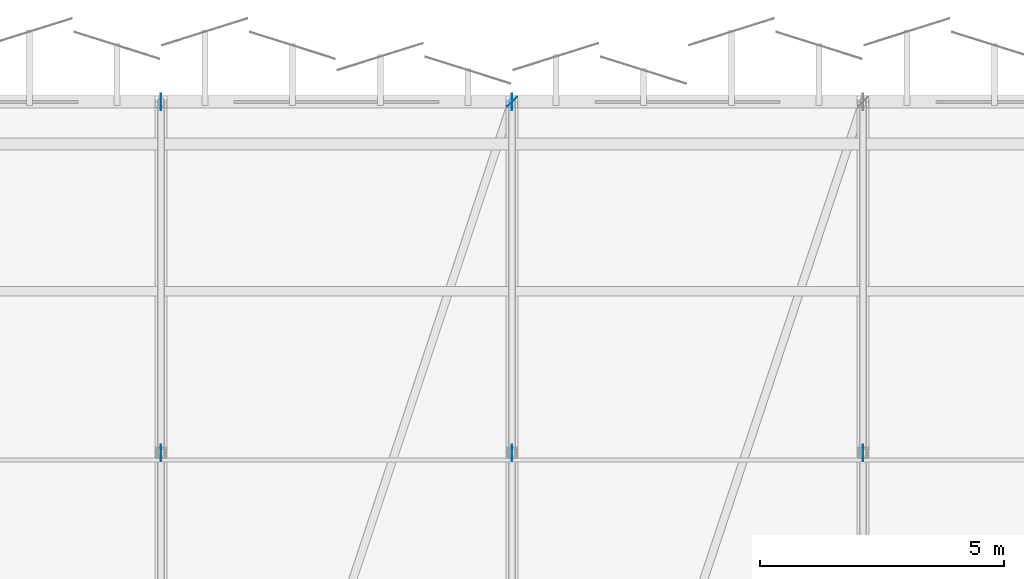
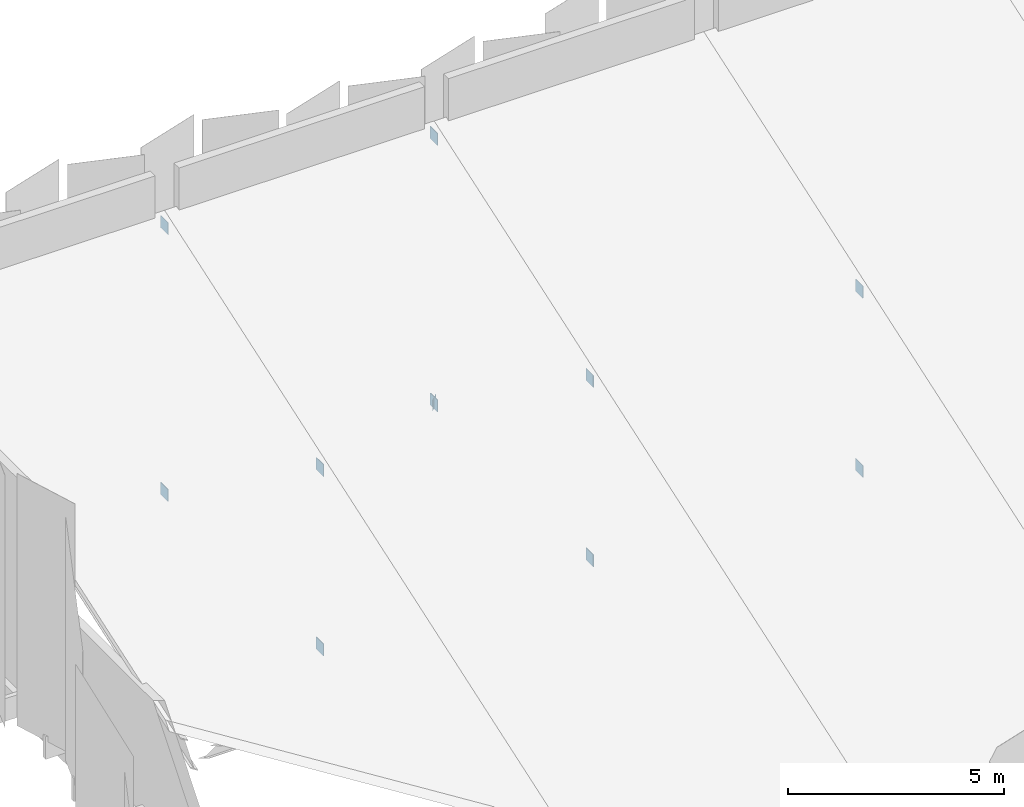
# One storey, part 34 of 59: 11 plates.
"""IFC4 building model written with IfcOpenShell, lengths in metres."""

import ifcopenshell
import ifcopenshell.guid

model = None  # the IFC model being written
_history = None  # IfcOwnerHistory: only IFC2X3 demands one
_inside = {}  # id of a spatial element -> (the spatial element, [elements in it])
_under = {}  # id of a project, library or spatial element -> (it, [spatial elements below it])
_declared = {}  # id of a project -> (the project, [libraries it declares])
_typed = {}  # id of a type object -> (the type object, [elements of that type])
_made_of = {}  # id of a material, layer set ... -> (it, [elements and type objects made of it])


def new_model(schema):
    """Start an empty IFC model of exactly this schema.

    Asked for "IFC4X3", IfcOpenShell would pick the latest addendum, in which some entities
    have other attributes; the version numbers below select the first issue.
    IFC2X3 requires an IfcOwnerHistory on every rooted entity: one is made here for all.
    """
    global model, _history
    if schema == "IFC4X3":
        model = ifcopenshell.file(schema_version=(4, 3, 0, 0))
    else:
        model = ifcopenshell.file(schema=schema)
    _inside.clear()
    _under.clear()
    _declared.clear()
    _typed.clear()
    _made_of.clear()
    _history = None
    if model.schema == "IFC2X3":
        org = make("IfcOrganization", Name="unknown")
        user = make(
            "IfcPersonAndOrganization",
            ThePerson=make("IfcPerson", FamilyName="unknown"),
            TheOrganization=org,
        )
        app = make(
            "IfcApplication",
            ApplicationDeveloper=org,
            Version="unknown",
            ApplicationFullName="unknown",
            ApplicationIdentifier="unknown",
        )
        _history = make(
            "IfcOwnerHistory",
            OwningUser=user,
            OwningApplication=app,
            ChangeAction="ADDED",
            CreationDate=0,
        )
    return model


def make(cls, **values):
    """One entity of the class cls with the attributes given. An attribute that is None is left unset."""
    return model.create_entity(
        cls, **{name: value for name, value in values.items() if value is not None}
    )


def rooted(cls, **values):
    """An entity with a GlobalId (a new one), such as an element, a storey or a relation."""
    return make(cls, GlobalId=ifcopenshell.guid.new(), OwnerHistory=_history, **values)


def si_unit(unit_type, name, prefix=None):
    """IfcSIUnit, for example si_unit("LENGTHUNIT", "METRE", prefix="MILLI")."""
    return make("IfcSIUnit", UnitType=unit_type, Prefix=prefix, Name=name)


def assignment(units):
    """IfcUnitAssignment: the units of a project."""
    return None if units is None else make("IfcUnitAssignment", Units=units)


def point(xyz):
    """IfcCartesianPoint."""
    return None if xyz is None else make("IfcCartesianPoint", Coordinates=xyz)


def direction(xyz):
    """IfcDirection."""
    return None if xyz is None else make("IfcDirection", DirectionRatios=xyz)


def frame(location, z_axis=None, x_axis=None):
    """IfcAxis2Placement3D, a coordinate frame: its origin and axes. An axis left out is left unset."""
    return make(
        "IfcAxis2Placement3D",
        Location=point(location),
        Axis=direction(z_axis),
        RefDirection=direction(x_axis),
    )


def frame_2d(location, x_axis=None):
    """IfcAxis2Placement2D, a coordinate frame in the plane: its origin and x axis."""
    return make(
        "IfcAxis2Placement2D", Location=point(location), RefDirection=direction(x_axis)
    )


def origin():
    """The frame at (0, 0, 0) with its axes left unset."""
    return frame((0.0, 0.0, 0.0))


def origin_2d():
    """The frame at (0, 0) in the plane with its x axis left unset."""
    return frame_2d((0.0, 0.0))


def place(relative_to, where):
    """IfcLocalPlacement: puts the frame where relative to a parent placement (None: the world)."""
    return make(
        "IfcLocalPlacement", PlacementRelTo=relative_to, RelativePlacement=where
    )


def context(
    kind, dimensions, precision=None, world=None, true_north=None, identifier=None
):
    """IfcGeometricRepresentationContext, for example the 3D "Model" context."""
    return make(
        "IfcGeometricRepresentationContext",
        ContextIdentifier=identifier,
        ContextType=kind,
        CoordinateSpaceDimension=dimensions,
        Precision=precision,
        WorldCoordinateSystem=world,
        TrueNorth=true_north,
    )


def subcontext(parent, identifier, kind, view, scale=None):
    """IfcGeometricRepresentationSubContext, for example "Body" below "Model"."""
    return make(
        "IfcGeometricRepresentationSubContext",
        ContextIdentifier=identifier,
        ContextType=kind,
        ParentContext=parent,
        TargetScale=scale,
        TargetView=view,
    )


def project(units=None, contexts=None):
    """IfcProject with its units and contexts."""
    return rooted(
        "IfcProject",
        Name="project",
        RepresentationContexts=contexts,
        UnitsInContext=assignment(units),
    )


def spatial(cls, under=None, at=None, **own):
    """A site, building, storey or space (cls), placed at a placement, below another one or the project."""
    s = rooted(cls, ObjectPlacement=at, **own)
    if under is not None:
        _under.setdefault(under.id(), (under, []))[1].append(s)
    return s


def profile(cls, at=None, kind="AREA", **sizes):
    """A parametric profile (cls). Its sizes go by their IFC names, for example OverallWidth=200.0."""
    return make(cls, ProfileType=kind, Position=at, **sizes)


def rectangle(**sizes):
    """IfcRectangleProfileDef."""
    return profile("IfcRectangleProfileDef", **sizes)


def extrude(swept, where, along, depth):
    """IfcExtrudedAreaSolid: the profile swept, set in the frame where, extruded along a direction by depth."""
    return make(
        "IfcExtrudedAreaSolid",
        SweptArea=swept,
        Position=where,
        ExtrudedDirection=direction(along),
        Depth=depth,
    )


def shape(context_of_items, identifier, shape_type, items):
    """IfcShapeRepresentation: the items that make up one representation, for example the "Body"."""
    return make(
        "IfcShapeRepresentation",
        ContextOfItems=context_of_items,
        RepresentationIdentifier=identifier,
        RepresentationType=shape_type,
        Items=items,
    )


def material(Name=None, Category=None):
    """IfcMaterial."""
    return make("IfcMaterial", Name=Name, Category=Category)


def layer(
    of_material, thickness, ventilated=None, Name=None, Category=None, Priority=None
):
    """IfcMaterialLayer: one layer of a wall or slab, of a material (None: an air gap)."""
    return make(
        "IfcMaterialLayer",
        Material=of_material,
        LayerThickness=thickness,
        IsVentilated=ventilated,
        Name=Name,
        Category=Category,
        Priority=Priority,
    )


def layer_set(layers, Name=None):
    """IfcMaterialLayerSet."""
    return make("IfcMaterialLayerSet", MaterialLayers=layers, LayerSetName=Name)


def made_of(thing, what):
    """Note that an element or type object is made of a material, layer set ...; save() writes the relation."""
    if what is not None:
        _made_of.setdefault(what.id(), (what, []))[1].append(thing)
    return thing


def type_object(cls, material=None, **own):
    """A type object (cls), such as IfcWallType, which elements share."""
    return made_of(rooted(cls, **own), material)


def element(
    cls,
    number,
    at=None,
    inside=None,
    cuts=None,
    type_object=None,
    material=None,
    context=None,
    identifier="Body",
    shape_type=None,
    held_by="IfcProductDefinitionShape",
    body=None,
    shapes=None,
    **own,
):
    """One element of the class cls, such as IfcWall. Its Tag is "e" and its number.

    at: its placement. inside: the storey or other place that contains it. cuts: it is an
    opening in that element (IfcRelVoidsElement). A single representation is given by context,
    identifier, shape_type and body (its items); several are given by shapes. held_by: the class
    of the entity that holds the representations. save() writes the other relations.
    """
    e = rooted(cls, Tag="e%d" % number, ObjectPlacement=at, **own)
    if body is not None:
        shapes = [shape(context, identifier, shape_type, body)]
    if shapes is not None:
        e.Representation = make(held_by, Representations=shapes)
    if inside is not None:
        _inside.setdefault(inside.id(), (inside, []))[1].append(e)
    if cuts is not None:
        rooted(
            "IfcRelVoidsElement", RelatingBuildingElement=cuts, RelatedOpeningElement=e
        )
    if type_object is not None:
        _typed.setdefault(type_object.id(), (type_object, []))[1].append(e)
    return made_of(e, material)


def aggregate(whole, parts):
    """IfcRelAggregates: a whole, such as a stair, and the parts it consists of."""
    return rooted("IfcRelAggregates", RelatingObject=whole, RelatedObjects=parts)


def save(model, path):
    """Write the relations noted so far, then the file.

    IfcRelAggregates (storeys below a building ...), IfcRelContainedInSpatialStructure (elements
    in a storey), IfcRelDefinesByType, IfcRelAssociatesMaterial and IfcRelDeclares: one each for
    every whole, place, type object, material and project.
    """
    for whole, parts in _under.values():
        aggregate(whole, parts)
    for where, things in _inside.values():
        rooted(
            "IfcRelContainedInSpatialStructure",
            RelatedElements=things,
            RelatingStructure=where,
        )
    for kind, things in _typed.values():
        rooted("IfcRelDefinesByType", RelatedObjects=things, RelatingType=kind)
    for what, things in _made_of.values():
        rooted("IfcRelAssociatesMaterial", RelatedObjects=things, RelatingMaterial=what)
    for by, libraries in _declared.values():
        rooted("IfcRelDeclares", RelatingContext=by, RelatedDefinitions=libraries)
    model.write(path)


model = new_model("IFC4")

# Units and contexts
model_context = context("Model", 3, precision=1e-05, world=origin(), true_north=direction((0.0, 1.0)))
body_context = subcontext(model_context, "Body", "Model", "MODEL_VIEW")
ifc_project = project(units=[si_unit("LENGTHUNIT", "METRE"), si_unit("AREAUNIT", "SQUARE_METRE"), si_unit("VOLUMEUNIT", "CUBIC_METRE"), si_unit("PLANEANGLEUNIT", "RADIAN"), si_unit("MASSUNIT", "GRAM", prefix="KILO")], contexts=[model_context])

# Site, building, storey
site_placement = place(None, origin())
site = spatial("IfcSite", under=ifc_project, at=site_placement, CompositionType="ELEMENT")
building_placement = place(site_placement, origin())
building = spatial("IfcBuilding", under=site, at=building_placement, Name="Kangsadwip Square Police Headquarters", CompositionType="ELEMENT")
storey_placement = place(building_placement, frame((0.0, 0.0, 21.60009765625)))
storey = spatial("IfcBuildingStorey", under=building, at=storey_placement, Name="L05", CompositionType="ELEMENT", Elevation=21.60009765625)

# Plates
ifc_material_1 = material(Name="Structural steel IS 2062 E350 (Grade 350, 350 MPa)", Category="steel")
ifc_layer_1 = layer(ifc_material_1, 0.011962890625)
ifc_layer_set_1 = layer_set([ifc_layer_1], Name="Structural steel IS 2062 E350 (Grade 350, 350 MPa)")
plate_type_1 = type_object("IfcPlateType", Name="TrussEndCapPlate12", PredefinedType="USERDEFINED", material=ifc_layer_set_1)
plate_placement = place(storey_placement, frame((108.0, 115.199951171875, -0.68994140625), z_axis=(0.0, 0.0, 1.0), x_axis=(0.707106781187, 0.707106781187, 0.0)))
element("IfcPlate", 1, at=plate_placement, inside=storey, type_object=plate_type_1, Name="Truss Node Gusset Plate GP-L05-0105", ObjectType="GUSSET_PLATE", PredefinedType="USERDEFINED", context=body_context, shape_type="SweptSolid", body=[
    extrude(rectangle(XDim=0.280029296875, YDim=0.011962890625, at=origin_2d()), origin(), (0.0, 0.0, 1.0), 0.280029296875),
])
ifc_material_2 = material(Name="Structural steel IS 2062 E350 (Grade 350, 350 MPa)", Category="steel")
ifc_layer_2 = layer(ifc_material_2, 0.01611328125)
ifc_layer_set_2 = layer_set([ifc_layer_2], Name="Structural steel IS 2062 E350 (Grade 350, 350 MPa)")
plate_type_2 = type_object("IfcPlateType", Name="TrussGussetPlate16", PredefinedType="USERDEFINED", material=ifc_layer_set_2)
for number, where, z_axis, x_axis, name in (
    (2, (100.800048828125, 108.0, -0.72021484375), (0.0, 0.0, 1.0), (0.0, 1.0, 0.0), "Truss Node Gusset Plate GP-L05-0061"),
    (3, (100.800048828125, 108.0, 4.34326171875), (0.0, 0.0, 1.0), (0.0, 1.0, 0.0), "Truss Node Gusset Plate GP-L05-0062"),
    (4, (100.800048828125, 115.199951171875, -0.72021484375), (0.0, 0.0, 1.0), (0.0, 1.0, 0.0), "Truss Node Gusset Plate GP-L05-0063"),
    (5, (100.800048828125, 115.199951171875, 6.81005859375), (0.0, 0.0, 1.0), (0.0, 1.0, 0.0), "Truss Node Gusset Plate GP-L05-0064"),
    (6, (108.0, 108.0, -0.72021484375), (0.0, 0.0, 1.0), (0.0, 1.0, 0.0), "Truss Node Gusset Plate GP-L05-0068"),
    (7, (108.0, 108.0, 4.34326171875), (0.0, 0.0, 1.0), (0.0, 1.0, 0.0), "Truss Node Gusset Plate GP-L05-0069"),
    (8, (108.0, 115.199951171875, -0.72021484375), (0.0, 0.0, 1.0), (0.0, 1.0, 0.0), "Truss Node Gusset Plate GP-L05-0070"),
    (9, (108.0, 115.199951171875, 6.81005859375), (0.0, 0.0, 1.0), (0.0, 1.0, 0.0), "Truss Node Gusset Plate GP-L05-0071"),
    (10, (115.199951171875, 108.0, -0.72021484375), (0.0, 0.0, 1.0), (0.0, 1.0, 0.0), "Truss Node Gusset Plate GP-L05-0075"),
    (11, (115.199951171875, 108.0, 4.34326171875), (0.0, 0.0, 1.0), (0.0, 1.0, 0.0), "Truss Node Gusset Plate GP-L05-0076"),
):
    element("IfcPlate", number, at=place(storey_placement, frame(where, z_axis=z_axis, x_axis=x_axis)), inside=storey, type_object=plate_type_2, Name=name, ObjectType="GUSSET_PLATE", PredefinedType="USERDEFINED", context=body_context, shape_type="SweptSolid", body=[
        extrude(rectangle(XDim=0.340087890625, YDim=0.01611328125, at=origin_2d()), origin(), (0.0, 0.0, 1.0), 0.340087890625),
    ])

save(model, "model.ifc")
